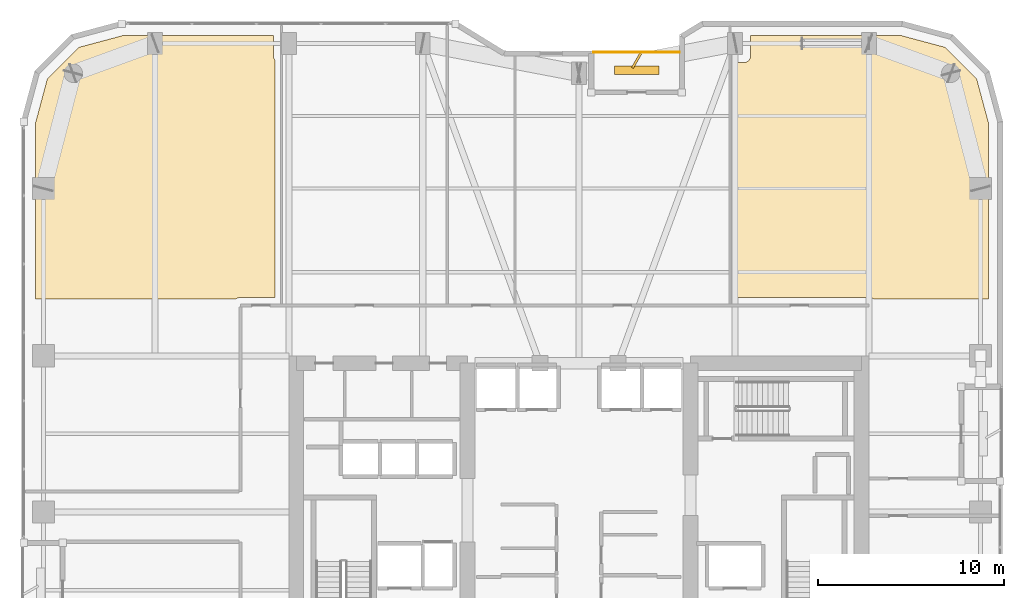
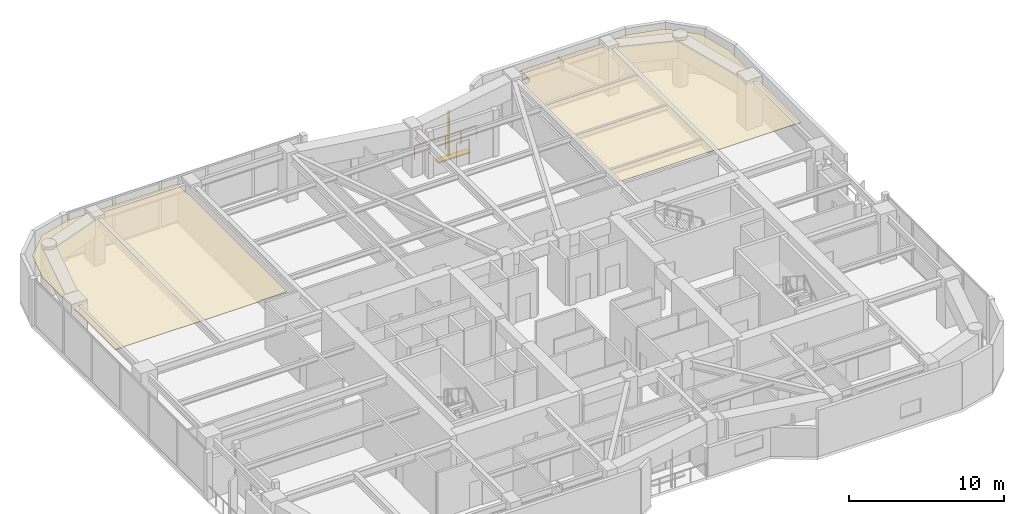
# One storey, part 30 of 30: 2 coverings, 2 shading devices, 1 railing.
"""IFC4 building model written with IfcOpenShell, lengths in metres."""

from ifc_helpers import new_model, si_unit, direction, frame, origin, origin_2d, place, context, subcontext, project, spatial, polyline, rectangle, outline, extrude, material, layer, layer_set, type_object, element, save


model = new_model("IFC4")

# Units and contexts
model_context = context("Model", 3, precision=1e-05, world=origin(), true_north=direction((0.0, 1.0)))
body_context = subcontext(model_context, "Body", "Model", "MODEL_VIEW")
ifc_project = project(units=[si_unit("LENGTHUNIT", "METRE"), si_unit("AREAUNIT", "SQUARE_METRE"), si_unit("VOLUMEUNIT", "CUBIC_METRE"), si_unit("PLANEANGLEUNIT", "RADIAN"), si_unit("MASSUNIT", "GRAM", prefix="KILO")], contexts=[model_context])

# Site, building, storey
site_placement = place(None, origin())
site = spatial("IfcSite", under=ifc_project, at=site_placement, CompositionType="ELEMENT")
building_placement = place(site_placement, origin())
building = spatial("IfcBuilding", under=site, at=building_placement, Name="Kiyonajd Concourse Tower", CompositionType="ELEMENT")
storey_placement = place(building_placement, frame((0.0, 0.0, 166.199951171875)))
storey = spatial("IfcBuildingStorey", under=building, at=storey_placement, Name="L42", CompositionType="ELEMENT", Elevation=166.199951171875)

# Coverings
ifc_material_1 = material(Name="Natural Oak Acoustic Timber Veneer", Category="wood")
ifc_layer = layer(ifc_material_1, 0.0400390625)
ifc_layer_set = layer_set([ifc_layer], Name="Natural Oak Acoustic Timber Veneer")
covering_type = type_object("IfcCoveringType", Name="CV-CLG-ACST", PredefinedType="CEILING", material=ifc_layer_set)
covering_1_placement = place(storey_placement, frame((0.0, 0.0, 3.5)))
element("IfcCovering", 1, at=covering_1_placement, inside=storey, type_object=covering_type, Name="L42-48 Room Acoustic Ceiling", PredefinedType="CEILING", context=body_context, shape_type="SweptSolid", body=[
    extrude(outline(polyline([(21.097900390625, 60.986083984375), (23.5009765625, 61.6298828125), (31.570068359375, 61.6298828125), (31.572021484375, 60.486083984375), (31.596923828125, 60.385986328125), (31.64990234375, 60.297119140625), (31.64990234375, 47.5400390625), (29.800048828125, 47.5400390625), (29.669921875, 47.52001953125), (29.60693359375, 47.493896484375), (29.552001953125, 47.4599609375), (18.77001953125, 47.4599609375), (18.77001953125, 56.89892578125), (19.4140625, 59.302001953125), (21.097900390625, 60.986083984375)])), origin(), (0.0, 0.0, 1.0), 0.0400390625),
])
covering_2_placement = place(storey_placement, frame((0.0, 0.0, 3.5)))
element("IfcCovering", 2, at=covering_2_placement, inside=storey, type_object=covering_type, Name="L42-52 Room Acoustic Ceiling", PredefinedType="CEILING", context=body_context, shape_type="SweptSolid", body=[
    extrude(outline(polyline([(57.22998046875, 61.6298828125), (65.299072265625, 61.6298828125), (67.701904296875, 60.986083984375), (69.385986328125, 59.302001953125), (70.030029296875, 56.89892578125), (70.030029296875, 47.4599609375), (63.847900390625, 47.4599609375), (63.79296875, 47.493896484375), (63.72998046875, 47.52001953125), (63.60009765625, 47.5400390625), (56.489990234375, 47.5400390625), (56.489990234375, 60.169921875), (56.8798828125, 60.169921875), (56.98193359375, 60.18505859375), (57.044921875, 60.2109375), (57.10205078125, 60.2490234375), (57.15087890625, 60.298095703125), (57.18896484375, 60.35498046875), (57.215087890625, 60.41796875), (57.22998046875, 60.52001953125), (57.22998046875, 61.6298828125)])), origin(), (0.0, 0.0, 1.0), 0.0400390625),
])

# Railing
ifc_material_2 = material(Name="Thermally Broken Anodised Aluminium", Category="aluminium")
railing_type = type_object("IfcRailingType", Name="RL-GRD-LOG", PredefinedType="GUARDRAIL", material=ifc_material_2)
railing_placement = place(storey_placement, frame((53.39990234375, 60.719970703125, 0.0)))
element("IfcRailing", 3, at=railing_placement, inside=storey, type_object=railing_type, Name="L42 Engawa Loggia Perimeter Guard LOG-N", PredefinedType="GUARDRAIL", context=body_context, shape_type="SweptSolid", body=[
    extrude(rectangle(XDim=0.048095703125, YDim=0.048095703125, at=origin_2d()), frame((0.0, 0.0, 1.076171875), z_axis=(-1.0, 0.0, 0.0), x_axis=(0.0, -1.0, 0.0)), (0.0, 0.0, 1.0), 4.599853515625),
    extrude(rectangle(XDim=0.0419921875, YDim=0.0419921875, at=origin_2d()), origin(), (0.0, 0.0, 1.0), 1.052001953125),
    extrude(rectangle(XDim=0.0419921875, YDim=0.0419921875, at=origin_2d()), frame((-1.14990234375, 0.0, 0.0)), (0.0, 0.0, 1.0), 1.052001953125),
    extrude(rectangle(XDim=0.0419921875, YDim=0.0419921875, at=origin_2d()), frame((-2.2998046875, 0.0, 0.0)), (0.0, 0.0, 1.0), 1.052001953125),
    extrude(rectangle(XDim=0.0419921875, YDim=0.0419921875, at=origin_2d()), frame((-3.449951171875, 0.0, 0.0)), (0.0, 0.0, 1.0), 1.052001953125),
    extrude(rectangle(XDim=0.0419921875, YDim=0.0419921875, at=origin_2d()), frame((-4.599853515625, 0.0, 0.0)), (0.0, 0.0, 1.0), 1.052001953125),
])

# Shading devices
ifc_material_3 = material(Name="Precast concrete C50/60", Category="concrete")
shading_device_type_1 = type_object("IfcShadingDeviceType", Name="SH-FIN-900", PredefinedType="USERDEFINED", material=ifc_material_3)
shading_device_1_placement = place(storey_placement, frame((51.10009765625, 60.27001953125, 0.0), z_axis=(0.0, 0.0, 1.0), x_axis=(0.5, 0.866025403784, 0.0)))
element("IfcShadingDevice", 4, at=shading_device_1_placement, inside=storey, type_object=shading_device_type_1, Name="L42 Angled Koshi Solar Fin LOG-N", ObjectType="FIN", PredefinedType="USERDEFINED", context=body_context, shape_type="SweptSolid", body=[
    extrude(rectangle(XDim=0.89990234375, YDim=0.1201171875, at=origin_2d()), origin(), (0.0, 0.0, 1.0), 3.0),
])
shading_device_type_2 = type_object("IfcShadingDeviceType", Name="SH-LVR-600", PredefinedType="JALOUSIE", material=ifc_material_2)
shading_device_2_placement = place(storey_placement, frame((51.10009765625, 59.75, 0.0), z_axis=(0.0, 0.0, 1.0), x_axis=(1.0, 0.0, 0.0)))
element("IfcShadingDevice", 5, at=shading_device_2_placement, inside=storey, type_object=shading_device_type_2, Name="L42 Loggia Threshold Louver LOG-N", PredefinedType="JALOUSIE", context=body_context, shape_type="SweptSolid", body=[
    extrude(rectangle(XDim=2.39990234375, YDim=0.449951171875, at=origin_2d()), origin(), (0.0, 0.0, 1.0), 0.10009765625),
])

save(model, "model.ifc")
